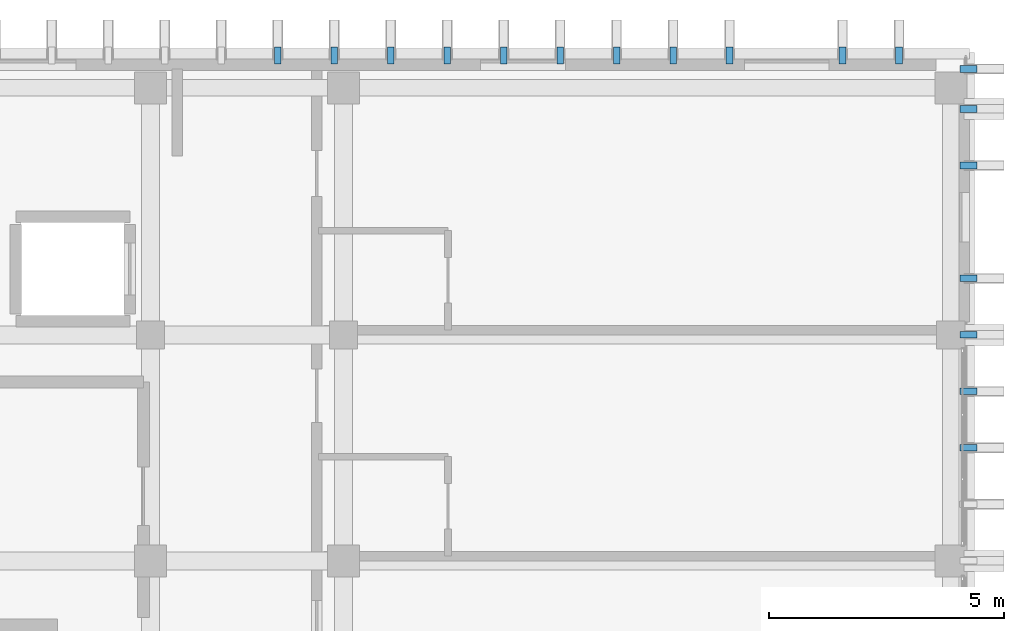
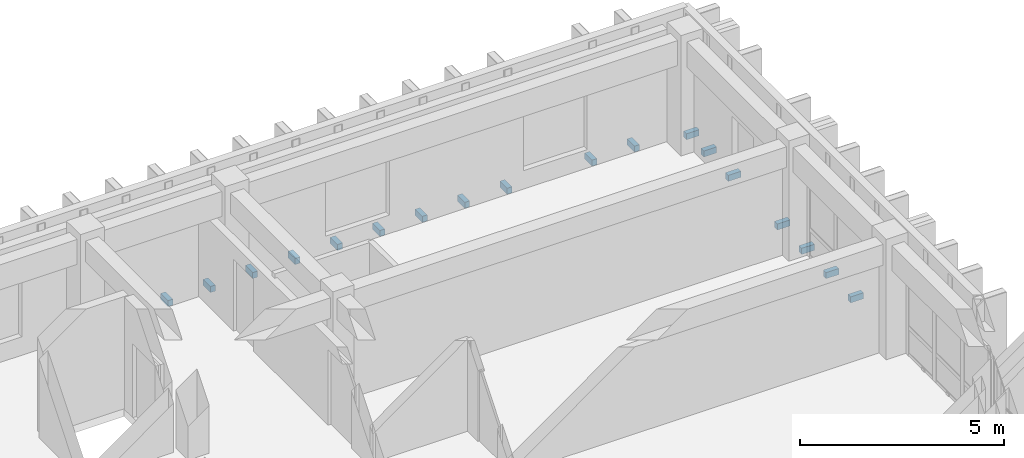
# One storey, part 48 of 53: 18 discrete accessories.
"""IFC4 building model written with IfcOpenShell, lengths in metres."""

from ifc_helpers import new_model, si_unit, direction, frame, origin, origin_2d, place, context, subcontext, project, spatial, rectangle, extrude, material, type_object, element, save


model = new_model("IFC4")

# Units and contexts
model_context = context("Model", 3, precision=1e-05, world=origin(), true_north=direction((0.0, 1.0)))
body_context = subcontext(model_context, "Body", "Model", "MODEL_VIEW")
ifc_project = project(units=[si_unit("LENGTHUNIT", "METRE"), si_unit("AREAUNIT", "SQUARE_METRE"), si_unit("VOLUMEUNIT", "CUBIC_METRE"), si_unit("PLANEANGLEUNIT", "RADIAN"), si_unit("MASSUNIT", "GRAM", prefix="KILO")], contexts=[model_context])

# Site, building, storey
site_placement = place(None, origin())
site = spatial("IfcSite", under=ifc_project, at=site_placement, CompositionType="ELEMENT")
building_placement = place(site_placement, origin())
building = spatial("IfcBuilding", under=site, at=building_placement, Name="Nakhvara Creek Congress Hotel", CompositionType="ELEMENT")
storey_placement = place(building_placement, frame((0.0, 0.0, 35.39990234375)))
storey = spatial("IfcBuildingStorey", under=building, at=storey_placement, Name="L08", CompositionType="ELEMENT", Elevation=35.39990234375)

# Discrete accessories
ifc_material = material(Name="Brushed stainless steel 316L", Category="steel")
discrete_accessory_type = type_object("IfcDiscreteAccessoryType", Name="ACC-BRK-SS316", PredefinedType="BRACKET", material=ifc_material)
for number, where, z_axis, x_axis, name in (
    (1, (179.72998046875, 117.60009765625, -0.10986328125), (0.0, 0.0, 1.0), (0.0, 1.0, 0.0), "Stainless Fin Bracket BK01-1943"),
    (2, (179.72998046875, 118.800048828125, -0.10986328125), (0.0, 0.0, 1.0), (0.0, 1.0, 0.0), "Stainless Fin Bracket BK01-1945"),
    (3, (179.72998046875, 120.0, -0.10986328125), (0.0, 0.0, 1.0), (0.0, 1.0, 0.0), "Stainless Fin Bracket BK01-1947"),
    (4, (179.72998046875, 121.199951171875, -0.10986328125), (0.0, 0.0, 1.0), (0.0, 1.0, 0.0), "Stainless Fin Bracket BK01-1949"),
    (5, (179.72998046875, 123.60009765625, -0.10986328125), (0.0, 0.0, 1.0), (0.0, 1.0, 0.0), "Stainless Fin Bracket BK01-1952"),
    (6, (179.72998046875, 124.800048828125, -0.10986328125), (0.0, 0.0, 1.0), (0.0, 1.0, 0.0), "Stainless Fin Bracket BK01-1954"),
    (7, (179.72998046875, 125.64990234375, -0.10986328125), (0.0, 0.0, 1.0), (0.0, 1.0, 0.0), "Stainless Fin Bracket BK01-1956"),
    (8, (165.050048828125, 125.93994140625, -0.10986328125), (0.0, 0.0, 1.0), (1.0, 0.0, 0.0), "Stainless Fin Bracket BK01-1980"),
    (9, (166.25, 125.93994140625, -0.10986328125), (0.0, 0.0, 1.0), (1.0, 0.0, 0.0), "Stainless Fin Bracket BK01-1982"),
    (10, (167.449951171875, 125.93994140625, -0.10986328125), (0.0, 0.0, 1.0), (1.0, 0.0, 0.0), "Stainless Fin Bracket BK01-1984"),
    (11, (168.64990234375, 125.93994140625, -0.10986328125), (0.0, 0.0, 1.0), (1.0, 0.0, 0.0), "Stainless Fin Bracket BK01-1986"),
    (12, (169.85009765625, 125.93994140625, -0.10986328125), (0.0, 0.0, 1.0), (1.0, 0.0, 0.0), "Stainless Fin Bracket BK01-1987"),
    (13, (171.050048828125, 125.93994140625, -0.10986328125), (0.0, 0.0, 1.0), (1.0, 0.0, 0.0), "Stainless Fin Bracket BK01-1989"),
    (14, (172.25, 125.93994140625, -0.10986328125), (0.0, 0.0, 1.0), (1.0, 0.0, 0.0), "Stainless Fin Bracket BK01-1991"),
    (15, (173.449951171875, 125.93994140625, -0.10986328125), (0.0, 0.0, 1.0), (1.0, 0.0, 0.0), "Stainless Fin Bracket BK01-1993"),
    (16, (174.64990234375, 125.93994140625, -0.10986328125), (0.0, 0.0, 1.0), (1.0, 0.0, 0.0), "Stainless Fin Bracket BK01-1995"),
    (17, (177.050048828125, 125.93994140625, -0.10986328125), (0.0, 0.0, 1.0), (1.0, 0.0, 0.0), "Stainless Fin Bracket BK01-1998"),
    (18, (178.25, 125.93994140625, -0.10986328125), (0.0, 0.0, 1.0), (1.0, 0.0, 0.0), "Stainless Fin Bracket BK01-2000"),
):
    element("IfcDiscreteAccessory", number, at=place(storey_placement, frame(where, z_axis=z_axis, x_axis=x_axis)), inside=storey, type_object=discrete_accessory_type, Name=name, PredefinedType="BRACKET", context=body_context, shape_type="SweptSolid", body=[
        extrude(rectangle(XDim=0.139892578125, YDim=0.360107421875, at=origin_2d()), origin(), (0.0, 0.0, 1.0), 0.179931640625),
    ])

save(model, "model.ifc")
